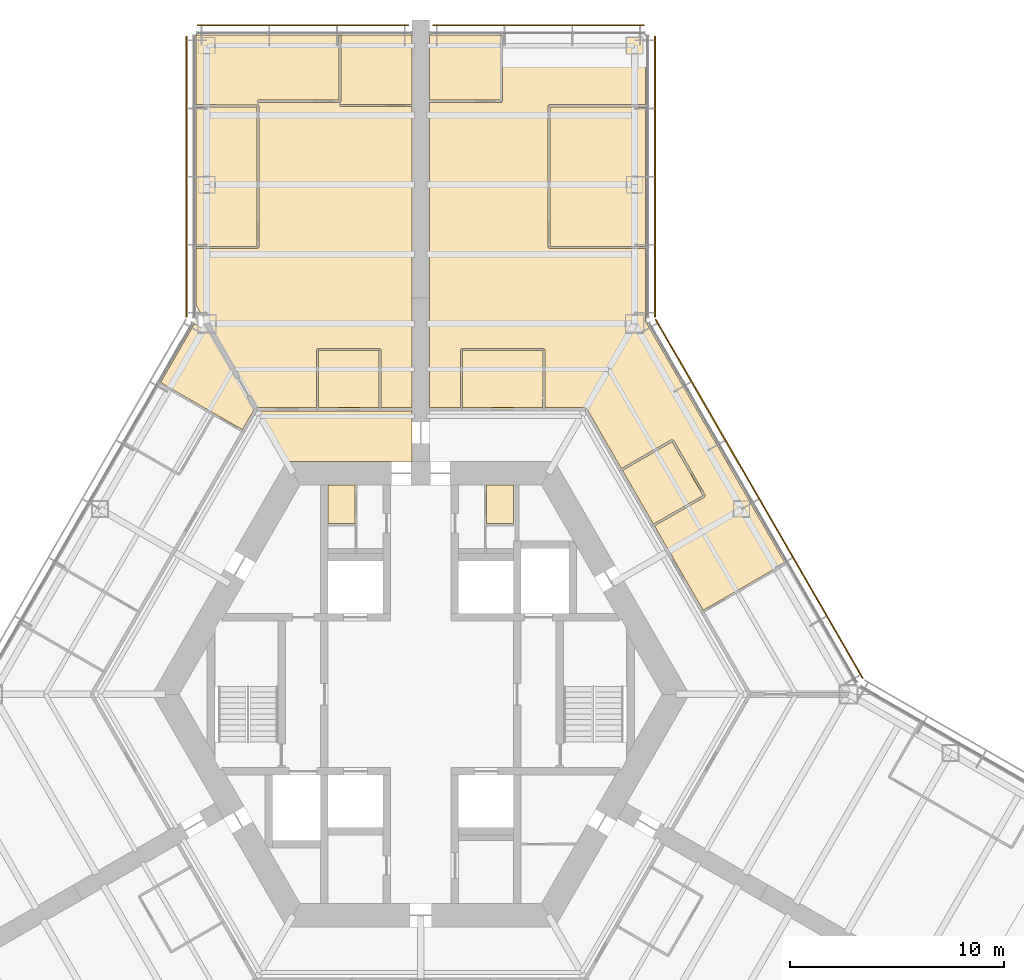
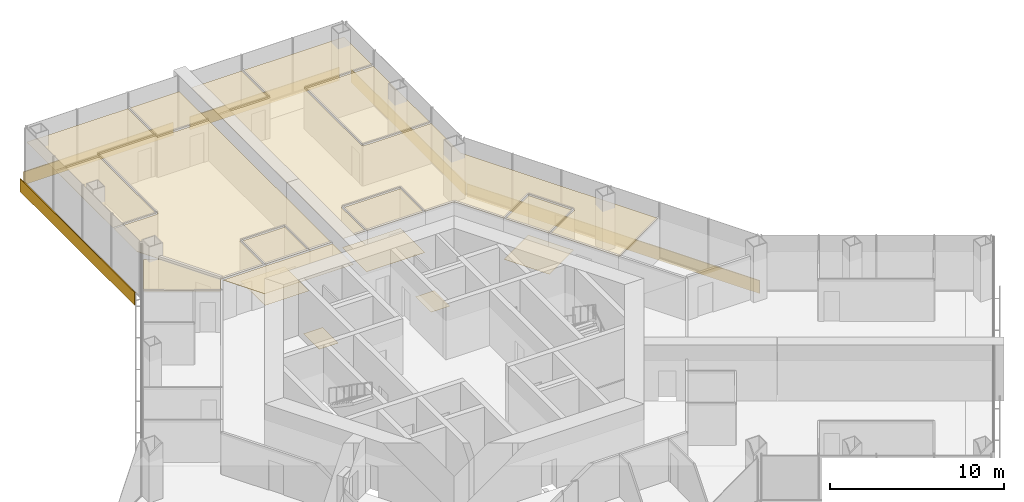
# One storey, part 19 of 19: 17 coverings, 5 shading devices.
"""IFC4 building model written with IfcOpenShell, lengths in metres."""

from ifc_helpers import new_model, si_unit, direction, frame, origin, origin_2d, place, context, subcontext, project, spatial, polyline, rectangle, outline, extrude, material, layer, layer_set, type_object, element, save


model = new_model("IFC4")

# Units and contexts
model_context = context("Model", 3, precision=1e-05, world=origin(), true_north=direction((0.0, 1.0)))
body_context = subcontext(model_context, "Body", "Model", "MODEL_VIEW")
ifc_project = project(units=[si_unit("LENGTHUNIT", "METRE"), si_unit("AREAUNIT", "SQUARE_METRE"), si_unit("VOLUMEUNIT", "CUBIC_METRE"), si_unit("PLANEANGLEUNIT", "RADIAN"), si_unit("MASSUNIT", "GRAM", prefix="KILO")], contexts=[model_context])

# Site, building, storey
site_placement = place(None, origin())
site = spatial("IfcSite", under=ifc_project, at=site_placement, CompositionType="ELEMENT")
building_placement = place(site_placement, origin())
building = spatial("IfcBuilding", under=site, at=building_placement, Name="Kasaneha Research Tower", CompositionType="ELEMENT")
storey_placement = place(building_placement, frame((0.0, 0.0, 84.60009765625)))
storey = spatial("IfcBuildingStorey", under=building, at=storey_placement, Name="L21", CompositionType="ELEMENT", Elevation=84.60009765625)

# Coverings
ifc_material_1 = material(Name="Gypsum ceiling board", Category="gypsum")
ifc_layer_1 = layer(ifc_material_1, 0.02001953125)
ifc_layer_set_1 = layer_set([ifc_layer_1], Name="Suspended ceiling 20")
covering_type_1 = type_object("IfcCoveringType", Name="Suspended ceiling 20", PredefinedType="CEILING", material=ifc_layer_set_1)
covering_1_placement = place(storey_placement, frame((0.0, 0.0, 2.7998046875)))
element("IfcCovering", 1, at=covering_1_placement, inside=storey, type_object=covering_type_1, Name="Ceiling L21-28", PredefinedType="CEILING", context=body_context, shape_type="SweptSolid", body=[
    extrude(outline(polyline([(1.954345703125, 13.39990234375), (1.9501953125, 16.074951171875), (5.70703125, 16.074951171875), (5.70263671875, 13.39990234375), (1.954345703125, 13.39990234375)])), origin(), (0.0, 0.0, 1.0), 0.02001953125),
])
covering_2_placement = place(storey_placement, frame((0.0, 0.0, 2.7998046875)))
element("IfcCovering", 2, at=covering_2_placement, inside=storey, type_object=covering_type_1, Name="Ceiling L21-29", PredefinedType="CEILING", context=body_context, shape_type="SweptSolid", body=[
    extrude(outline(polyline([(11.746337890625, 11.8046875), (13.1962890625, 9.293212890625), (10.877685546875, 7.95947265625), (9.431884765625, 10.46337890625), (11.746337890625, 11.8046875)])), origin(), (0.0, 0.0, 1.0), 0.02001953125),
])
covering_3_placement = place(storey_placement, frame((0.0, 0.0, 2.7998046875)))
element("IfcCovering", 3, at=covering_3_placement, inside=storey, type_object=covering_type_1, Name="Ceiling L21-31", PredefinedType="CEILING", context=body_context, shape_type="SweptSolid", body=[
    extrude(outline(polyline([(10.5, 20.941162109375), (6.050048828125, 20.941162109375), (6.050048828125, 27.460693359375), (10.5, 27.460693359375), (10.5, 20.941162109375)])), origin(), (0.0, 0.0, 1.0), 0.02001953125),
])
covering_4_placement = place(storey_placement, frame((0.0, 0.0, 2.7998046875)))
element("IfcCovering", 4, at=covering_4_placement, inside=storey, type_object=covering_type_1, Name="Ceiling L21-32", PredefinedType="CEILING", context=body_context, shape_type="SweptSolid", body=[
    extrude(outline(polyline([(3.7666015625, 30.820556640625), (3.7666015625, 30.800537109375), (3.716796875, 30.800537109375), (3.716796875, 27.7705078125), (0.419921875, 27.7705078125), (0.419921875, 27.720458984375), (0.39990234375, 27.720458984375), (0.39990234375, 30.820556640625), (3.7666015625, 30.820556640625)])), origin(), (0.0, 0.0, 1.0), 0.02001953125),
])
covering_5_placement = place(storey_placement, frame((0.0, 0.0, 2.7998046875)))
element("IfcCovering", 5, at=covering_5_placement, inside=storey, type_object=covering_type_1, Name="Ceiling L21-33", PredefinedType="CEILING", context=body_context, shape_type="SweptSolid", body=[
    extrude(outline(polyline([(13.26513671875, 9.27490234375), (13.264892578125, 9.275146484375), (13.30810546875, 9.2998046875), (11.80810546875, 11.89794921875), (11.76513671875, 11.873291015625), (11.76513671875, 11.873291015625), (11.7646484375, 11.873046875), (11.73974609375, 11.916259765625), (9.3818359375, 10.550048828125), (7.758056640625, 13.362548828125), (7.693603515625, 13.3251953125), (7.693603515625, 13.325439453125), (7.693115234375, 13.325439453125), (7.693115234375, 13.39990234375), (5.802734375, 13.39990234375), (5.806884765625, 16.125), (5.757080078125, 16.125), (5.757080078125, 16.12548828125), (5.757080078125, 16.12548828125), (5.757080078125, 16.175048828125), (1.89990234375, 16.175048828125), (1.89990234375, 16.12548828125), (1.899658203125, 16.12548828125), (1.899658203125, 16.125), (1.85009765625, 16.125), (1.8544921875, 13.39990234375), (0.419921875, 13.39990234375), (0.419921875, 13.325439453125), (0.39990234375, 13.325439453125), (0.39990234375, 27.719970703125), (0.419921875, 27.719970703125), (0.419921875, 27.67041015625), (3.7666015625, 27.67041015625), (3.7666015625, 27.72021484375), (3.76708984375, 27.72021484375), (3.76708984375, 27.720458984375), (3.816650390625, 27.720458984375), (3.816650390625, 30.800537109375), (3.76708984375, 30.800537109375), (3.76708984375, 30.820556640625), (10.5, 30.820556640625), (10.5, 27.560791015625), (6.0, 27.560791015625), (6.0, 27.510986328125), (5.99951171875, 27.510986328125), (5.99951171875, 27.5107421875), (5.949951171875, 27.5107421875), (5.949951171875, 20.89111328125), (5.99951171875, 20.89111328125), (5.99951171875, 20.890869140625), (6.0, 20.890869140625), (6.0, 20.841064453125), (10.5, 20.841064453125), (10.5, 17.45458984375), (17.055908203125, 6.09912109375), (17.055908203125, 6.09912109375), (17.03125, 6.14208984375), (13.205078125, 3.927978515625), (10.927490234375, 7.872802734375), (13.28955078125, 9.2314453125), (13.264892578125, 9.274658203125), (13.26513671875, 9.27490234375)])), origin(), (0.0, 0.0, 1.0), 0.02001953125),
])
covering_6_placement = place(storey_placement, frame((0.0, 0.0, 2.7998046875)))
element("IfcCovering", 6, at=covering_6_placement, inside=storey, type_object=covering_type_1, Name="Ceiling L21-34", PredefinedType="CEILING", context=body_context, shape_type="SweptSolid", body=[
    extrude(outline(polyline([(-0.39990234375, 11.72509765625), (-0.39990234375, 10.875), (-6.278564453125, 10.875), (-7.64990234375, 13.25), (-7.64990234375, 13.25), (-4.833984375, 13.25), (-4.824462890625, 13.25), (-1.904541015625, 13.25), (-1.89501953125, 13.25), (-0.419921875, 13.25), (-0.419921875, 13.324951171875), (-0.39990234375, 13.324951171875), (-0.39990234375, 12.72509765625), (-0.39990234375, 11.72509765625)])), origin(), (0.0, 0.0, 1.0), 0.02001953125),
])
covering_7_placement = place(storey_placement, frame((0.0, 0.0, 2.7998046875)))
element("IfcCovering", 7, at=covering_7_placement, inside=storey, type_object=covering_type_1, Name="Ceiling L21-35", PredefinedType="CEILING", context=body_context, shape_type="SweptSolid", body=[
    extrude(outline(polyline([(-4.77880859375, 16.074951171875), (-1.9501953125, 16.074951171875), (-1.954345703125, 13.39990234375), (-4.774658203125, 13.39990234375), (-4.77880859375, 16.074951171875)])), origin(), (0.0, 0.0, 1.0), 0.02001953125),
])
covering_8_placement = place(storey_placement, frame((0.0, 0.0, 2.7998046875)))
element("IfcCovering", 8, at=covering_8_placement, inside=storey, type_object=covering_type_1, Name="Ceiling L21-36", PredefinedType="CEILING", context=body_context, shape_type="SweptSolid", body=[
    extrude(outline(polyline([(-10.5, 27.460693359375), (-7.654052734375, 27.455322265625), (-7.650146484375, 20.941162109375), (-10.5, 20.941162109375), (-10.5, 27.460693359375)])), origin(), (0.0, 0.0, 1.0), 0.02001953125),
])
covering_9_placement = place(storey_placement, frame((0.0, 0.0, 2.7998046875)))
element("IfcCovering", 9, at=covering_9_placement, inside=storey, type_object=covering_type_1, Name="Ceiling L21-37", PredefinedType="CEILING", context=body_context, shape_type="SweptSolid", body=[
    extrude(outline(polyline([(-0.39990234375, 27.5205078125), (-0.419921875, 27.5205078125), (-0.419921875, 27.570556640625), (-3.7666015625, 27.570556640625), (-3.7666015625, 27.675048828125), (-3.7666015625, 27.675048828125), (-3.7666015625, 27.701904296875), (-3.7666015625, 27.715576171875), (-3.716796875, 27.715576171875), (-3.716796875, 30.800537109375), (-3.7666015625, 30.800537109375), (-3.7666015625, 30.820556640625), (-0.39990234375, 30.820556640625), (-0.39990234375, 27.5205078125)])), origin(), (0.0, 0.0, 1.0), 0.02001953125),
])
covering_10_placement = place(storey_placement, frame((0.0, 0.0, 2.7998046875)))
element("IfcCovering", 10, at=covering_10_placement, inside=storey, type_object=covering_type_1, Name="Ceiling L21-38", PredefinedType="CEILING", context=body_context, shape_type="SweptSolid", body=[
    extrude(outline(polyline([(-7.599609375, 27.5107421875), (-7.60009765625, 27.5107421875), (-7.599853515625, 27.55517578125), (-10.5, 27.560791015625), (-10.5, 27.510986328125), (-10.50048828125, 27.510986328125), (-10.500244140625, 30.821044921875), (-3.7666015625, 30.820556640625), (-3.7666015625, 30.800537109375), (-3.816650390625, 30.800537109375), (-3.816650390625, 27.77490234375), (-7.59912109375, 27.76953125), (-7.59912109375, 27.719482421875), (-7.599609375, 27.5107421875)])), origin(), (0.0, 0.0, 1.0), 0.02001953125),
])
covering_11_placement = place(storey_placement, frame((0.0, 0.0, 2.7998046875)))
element("IfcCovering", 11, at=covering_11_placement, inside=storey, type_object=covering_type_1, Name="Ceiling L21-39", PredefinedType="CEILING", context=body_context, shape_type="SweptSolid", body=[
    extrude(outline(polyline([(-1.89990234375, 16.125244140625), (-1.89990234375, 16.175048828125), (-4.8291015625, 16.175048828125), (-4.8291015625, 16.12548828125), (-4.8291015625, 16.125), (-4.87890625, 16.125), (-4.87451171875, 13.39990234375), (-7.670166015625, 13.39990234375), (-7.670166015625, 13.325439453125), (-7.693359375, 13.325439453125), (-10.5, 18.1865234375), (-10.5, 20.841064453125), (-7.60009765625, 20.841064453125), (-7.60009765625, 20.890869140625), (-7.599609375, 20.890869140625), (-7.599609375, 20.89111328125), (-7.550048828125, 20.89111328125), (-7.553955078125, 27.5107421875), (-7.59912109375, 27.5107421875), (-7.59912109375, 27.719482421875), (-7.598876953125, 27.66943359375), (-3.76708984375, 27.675048828125), (-3.7666015625, 27.52001953125), (-3.7666015625, 27.52001953125), (-3.7666015625, 27.470458984375), (-0.419921875, 27.470458984375), (-0.419921875, 27.52001953125), (-0.39990234375, 27.52001953125), (-0.39990234375, 13.325439453125), (-0.419921875, 13.325439453125), (-0.419921875, 13.39990234375), (-1.8544921875, 13.39990234375), (-1.85009765625, 16.125), (-1.899658203125, 16.125), (-1.899658203125, 16.125244140625), (-1.89990234375, 16.125244140625)])), origin(), (0.0, 0.0, 1.0), 0.02001953125),
])
covering_12_placement = place(storey_placement, frame((0.0, 0.0, 2.7998046875)))
element("IfcCovering", 12, at=covering_12_placement, inside=storey, type_object=covering_type_1, Name="Ceiling L21-44", PredefinedType="CEILING", context=body_context, shape_type="SweptSolid", body=[
    extrude(outline(polyline([(-10.578369140625, 17.318603515625), (-9.709228515625, 16.81689453125), (-7.693115234375, 13.324951171875), (-7.704833984375, 13.304931640625), (-7.76953125, 13.342529296875), (-8.331298828125, 12.369873046875), (-9.654052734375, 13.128662109375), (-9.656494140625, 13.12451171875), (-12.16162109375, 14.576416015625), (-12.1865234375, 14.533203125), (-12.1865234375, 14.533203125), (-10.578369140625, 17.318603515625)])), origin(), (0.0, 0.0, 1.0), 0.02001953125),
])

# Shading devices
ifc_material_2 = material(Name="Terracotta", Category="masonry")
ifc_layer_2 = layer(ifc_material_2, 0.06005859375)
ifc_layer_set_2 = layer_set([ifc_layer_2], Name="Terracotta baguette screen")
shading_device_type = type_object("IfcShadingDeviceType", Name="Terracotta baguette screen", PredefinedType="USERDEFINED", material=ifc_layer_set_2)
shading_device_1_placement = place(storey_placement, frame((15.82275390625, 9.13525390625, -0.449951171875), z_axis=(0.0, 0.0, 1.0), x_axis=(-0.49999996188, 0.866025425793, 0.0)))
element("IfcShadingDevice", 13, at=shading_device_1_placement, inside=storey, type_object=shading_device_type, Name="Baguette screen L21 07", ObjectType="TERRACOTTA BAGUETTE SCREEN", PredefinedType="USERDEFINED", context=body_context, shape_type="SweptSolid", body=[
    extrude(rectangle(XDim=19.37841796875, YDim=0.06005859375, at=origin_2d()), origin(), (0.0, 0.0, 1.0), 0.89990234375),
])
shading_device_2_placement = place(storey_placement, frame((10.949951171875, 24.200927734375, -0.449951171875), z_axis=(0.0, 0.0, 1.0), x_axis=(0.0, 1.0, 0.0)))
element("IfcShadingDevice", 14, at=shading_device_2_placement, inside=storey, type_object=shading_device_type, Name="Baguette screen L21 08", ObjectType="TERRACOTTA BAGUETTE SCREEN", PredefinedType="USERDEFINED", context=body_context, shape_type="SweptSolid", body=[
    extrude(rectangle(XDim=13.13916015625, YDim=0.06005859375, at=origin_2d()), origin(), (0.0, 0.0, 1.0), 0.89990234375),
])
for number, where, z_axis, x_axis, name in (
    (15, (5.5, 31.2705078125, -0.449951171875), (0.0, 0.0, 1.0), (-1.0, 0.0, 0.0), "Baguette screen L21 09"),
    (16, (-5.5, 31.2705078125, -0.449951171875), (0.0, 0.0, 1.0), (-1.0, 0.0, 0.0), "Baguette screen L21 10"),
):
    element("IfcShadingDevice", number, at=place(storey_placement, frame(where, z_axis=z_axis, x_axis=x_axis)), inside=storey, type_object=shading_device_type, Name=name, ObjectType="TERRACOTTA BAGUETTE SCREEN", PredefinedType="USERDEFINED", context=body_context, shape_type="SweptSolid", body=[
        extrude(rectangle(XDim=9.89990234375, YDim=0.06005859375, at=origin_2d()), origin(), (0.0, 0.0, 1.0), 0.89990234375),
    ])
shading_device_3_placement = place(storey_placement, frame((-10.949951171875, 24.200927734375, -0.449951171875), z_axis=(0.0, 0.0, 1.0), x_axis=(0.0, -1.0, 0.0)))
element("IfcShadingDevice", 17, at=shading_device_3_placement, inside=storey, type_object=shading_device_type, Name="Baguette screen L21 11", ObjectType="TERRACOTTA BAGUETTE SCREEN", PredefinedType="USERDEFINED", context=body_context, shape_type="SweptSolid", body=[
    extrude(rectangle(XDim=13.13916015625, YDim=0.06005859375, at=origin_2d()), origin(), (0.0, 0.0, 1.0), 0.89990234375),
])

# Coverings
ifc_material_3 = material(Name="Vinyl sheet flooring", Category="plastic")
ifc_layer_3 = layer(ifc_material_3, 0.0048828125)
ifc_layer_set_3 = layer_set([ifc_layer_3], Name="Wet room sheet flooring 5")
covering_type_2 = type_object("IfcCoveringType", Name="Wet room sheet flooring 5", PredefinedType="FLOORING", material=ifc_layer_set_3)
covering_13_placement = place(storey_placement, origin())
element("IfcCovering", 18, at=covering_13_placement, inside=storey, type_object=covering_type_2, Name="Floor finish L21-07", PredefinedType="FLOORING", context=body_context, shape_type="SweptSolid", body=[
    extrude(outline(polyline([(-4.324951171875, 7.97509765625), (-4.324951171875, 9.77490234375), (-3.074951171875, 9.77490234375), (-3.074951171875, 7.97509765625), (-4.324951171875, 7.97509765625)])), origin(), (0.0, 0.0, 1.0), 0.0048828125),
])
covering_14_placement = place(storey_placement, origin())
element("IfcCovering", 19, at=covering_14_placement, inside=storey, type_object=covering_type_2, Name="Floor finish L21-10", PredefinedType="FLOORING", context=body_context, shape_type="SweptSolid", body=[
    extrude(outline(polyline([(4.324951171875, 7.97509765625), (3.074951171875, 7.97509765625), (3.074951171875, 9.77490234375), (4.324951171875, 9.77490234375), (4.324951171875, 7.97509765625)])), origin(), (0.0, 0.0, 1.0), 0.0048828125),
])
covering_15_placement = place(storey_placement, origin())
element("IfcCovering", 20, at=covering_15_placement, inside=storey, type_object=covering_type_2, Name="Floor finish L21-28", PredefinedType="FLOORING", context=body_context, shape_type="SweptSolid", body=[
    extrude(outline(polyline([(1.89990234375, 16.125), (5.757080078125, 16.125), (5.757080078125, 13.324951171875), (1.89990234375, 13.324951171875), (1.89990234375, 16.125)])), origin(), (0.0, 0.0, 1.0), 0.0048828125),
])
covering_16_placement = place(storey_placement, origin())
element("IfcCovering", 21, at=covering_16_placement, inside=storey, type_object=covering_type_2, Name="Floor finish L21-29", PredefinedType="FLOORING", context=body_context, shape_type="SweptSolid", body=[
    extrude(outline(polyline([(11.7646484375, 11.873046875), (13.2646484375, 9.27490234375), (10.83984375, 7.875), (9.33984375, 10.472900390625), (11.7646484375, 11.873046875)])), origin(), (0.0, 0.0, 1.0), 0.0048828125),
])
covering_17_placement = place(storey_placement, origin())
element("IfcCovering", 22, at=covering_17_placement, inside=storey, type_object=covering_type_2, Name="Floor finish L21-35", PredefinedType="FLOORING", context=body_context, shape_type="SweptSolid", body=[
    extrude(outline(polyline([(-4.8291015625, 16.125), (-1.89990234375, 16.125), (-1.89990234375, 13.324951171875), (-4.8291015625, 13.324951171875), (-4.8291015625, 16.125)])), origin(), (0.0, 0.0, 1.0), 0.0048828125),
])

save(model, "model.ifc")
